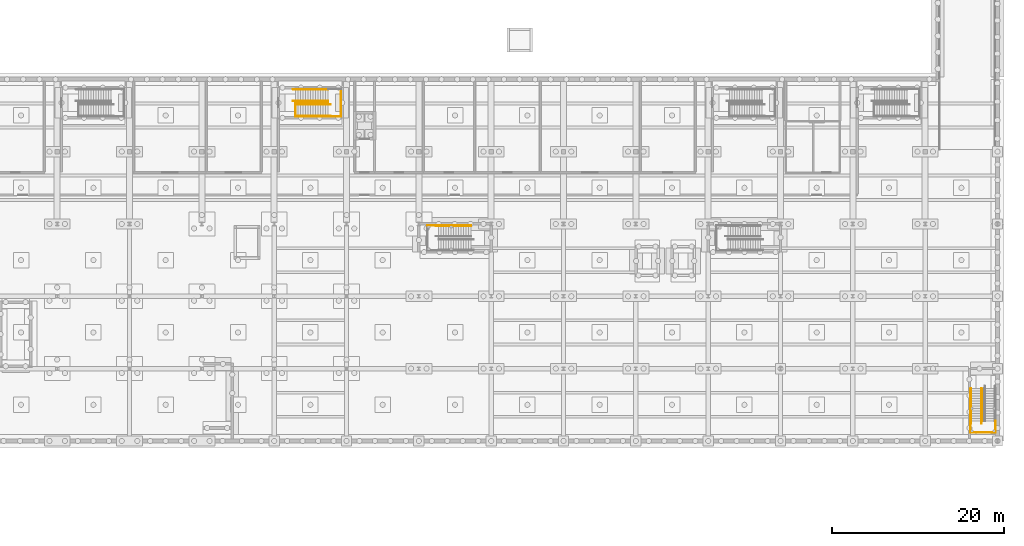
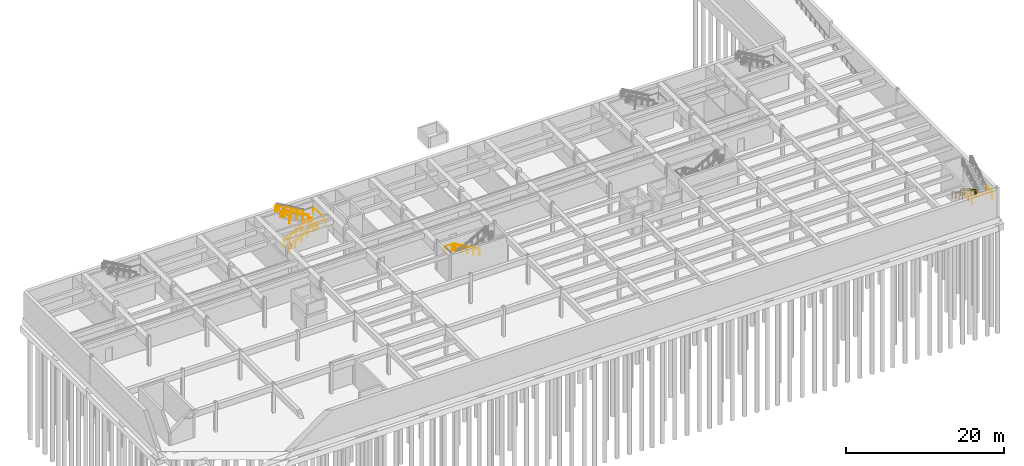
# One storey, part 29 of 33: 20 railings.
"""IFC4 building model written with IfcOpenShell, lengths in metres."""

from ifc_helpers import new_model, si_unit, direction, frame, origin, origin_2d, place, context, subcontext, project, spatial, circle, extrude, material, type_object, element, save


model = new_model("IFC4")

# Units and contexts
model_context = context("Model", 3, precision=1e-05, world=origin(), true_north=direction((0.0, 1.0)))
body_context = subcontext(model_context, "Body", "Model", "MODEL_VIEW")
ifc_project = project(units=[si_unit("LENGTHUNIT", "METRE"), si_unit("AREAUNIT", "SQUARE_METRE"), si_unit("VOLUMEUNIT", "CUBIC_METRE"), si_unit("PLANEANGLEUNIT", "RADIAN"), si_unit("MASSUNIT", "GRAM", prefix="KILO")], contexts=[model_context])

# Site, building, storey
site_placement = place(None, origin())
site = spatial("IfcSite", under=ifc_project, at=site_placement, CompositionType="ELEMENT")
building_placement = place(site_placement, origin())
building = spatial("IfcBuilding", under=site, at=building_placement, Name="Ljudholm Concert House", CompositionType="ELEMENT")
storey_placement = place(building_placement, frame((0.0, 0.0, -4.60009765625)))
storey = spatial("IfcBuildingStorey", under=building, at=storey_placement, Name="B1", CompositionType="ELEMENT", Elevation=-4.60009765625)

# Railings
ifc_material_1 = material(Name="Steel ASTM A36", Category="steel")
railing_type_1 = type_object("IfcRailingType", Name="GUARD 1100", PredefinedType="GUARDRAIL", material=ifc_material_1)
railing_1_placement = place(storey_placement, frame((40.10009765625, 143.925048828125, 0.164306640625)))
element("IfcRailing", 1, at=railing_1_placement, inside=storey, type_object=railing_type_1, Name="Guard", PredefinedType="GUARDRAIL", context=body_context, shape_type="SweptSolid", body=[
    extrude(circle(Radius=0.02490234375, at=origin_2d()), frame((0.0, 0.0, 1.0751953125), z_axis=(0.870025677096, 0.0, 0.493006410906), x_axis=(0.0, 1.0, 0.0)), (0.0, 0.0, 1.0), 0.999755859375),
    extrude(circle(Radius=0.02490234375, at=origin_2d()), frame((0.869873046875, 0.0, 1.56787109375), z_axis=(0.870085008278, 0.0, 0.4929016924), x_axis=(0.0, 1.0, 0.0)), (0.0, 0.0, 1.0), 1.0),
    extrude(circle(Radius=0.02490234375, at=origin_2d()), frame((1.739990234375, 0.0, 2.06103515625), z_axis=(0.870025677096, 0.0, 0.493006410906), x_axis=(0.0, 1.0, 0.0)), (0.0, 0.0, 1.0), 0.999755859375),
    extrude(circle(Radius=0.02490234375, at=origin_2d()), frame((2.60986328125, 0.0, 2.5537109375), z_axis=(0.870189701074, 0.0, 0.492716839721), x_axis=(0.0, 1.0, 0.0)), (0.0, 0.0, 1.0), 1.0),
    extrude(circle(Radius=0.02490234375, at=origin_2d()), frame((3.47998046875, 0.0, 3.04638671875), z_axis=(0.870085008278, 0.0, 0.4929016924), x_axis=(0.0, 1.0, 0.0)), (0.0, 0.0, 1.0), 0.333251953125),
    extrude(circle(Radius=0.02099609375, at=origin_2d()), origin(), (0.0, 0.0, 1.0), 1.050048828125),
    extrude(circle(Radius=0.02099609375, at=origin_2d()), frame((0.869873046875, 0.0, 0.492919921875)), (0.0, 0.0, 1.0), 1.050048828125),
    extrude(circle(Radius=0.02099609375, at=origin_2d()), frame((1.739990234375, 0.0, 0.98583984375)), (0.0, 0.0, 1.0), 1.050048828125),
    extrude(circle(Radius=0.02099609375, at=origin_2d()), frame((2.60986328125, 0.0, 1.478759765625)), (0.0, 0.0, 1.0), 1.050048828125),
    extrude(circle(Radius=0.02099609375, at=origin_2d()), frame((3.47998046875, 0.0, 1.971435546875)), (0.0, 0.0, 1.0), 1.050048828125),
    extrude(circle(Radius=0.02099609375, at=origin_2d()), frame((3.77001953125, 0.0, 2.1357421875)), (0.0, 0.0, 1.0), 1.050048828125),
])
railing_2_placement = place(storey_placement, frame((40.10009765625, 142.47509765625, 0.164306640625)))
element("IfcRailing", 2, at=railing_2_placement, inside=storey, type_object=railing_type_1, Name="Guard", PredefinedType="GUARDRAIL", context=body_context, shape_type="SweptSolid", body=[
    extrude(circle(Radius=0.02490234375, at=origin_2d()), frame((0.0, 0.0, 1.0751953125), z_axis=(0.870025677096, 0.0, 0.493006410906), x_axis=(0.0, 1.0, 0.0)), (0.0, 0.0, 1.0), 0.999755859375),
    extrude(circle(Radius=0.02490234375, at=origin_2d()), frame((0.869873046875, 0.0, 1.56787109375), z_axis=(0.870085008278, 0.0, 0.4929016924), x_axis=(0.0, 1.0, 0.0)), (0.0, 0.0, 1.0), 1.0),
    extrude(circle(Radius=0.02490234375, at=origin_2d()), frame((1.739990234375, 0.0, 2.06103515625), z_axis=(0.870025677096, 0.0, 0.493006410906), x_axis=(0.0, 1.0, 0.0)), (0.0, 0.0, 1.0), 0.999755859375),
    extrude(circle(Radius=0.02490234375, at=origin_2d()), frame((2.60986328125, 0.0, 2.5537109375), z_axis=(0.870189701074, 0.0, 0.492716839721), x_axis=(0.0, 1.0, 0.0)), (0.0, 0.0, 1.0), 1.0),
    extrude(circle(Radius=0.02490234375, at=origin_2d()), frame((3.47998046875, 0.0, 3.04638671875), z_axis=(0.870085008278, 0.0, 0.4929016924), x_axis=(0.0, 1.0, 0.0)), (0.0, 0.0, 1.0), 0.333251953125),
    extrude(circle(Radius=0.02099609375, at=origin_2d()), origin(), (0.0, 0.0, 1.0), 1.050048828125),
    extrude(circle(Radius=0.02099609375, at=origin_2d()), frame((0.869873046875, 0.0, 0.492919921875)), (0.0, 0.0, 1.0), 1.050048828125),
    extrude(circle(Radius=0.02099609375, at=origin_2d()), frame((1.739990234375, 0.0, 0.98583984375)), (0.0, 0.0, 1.0), 1.050048828125),
    extrude(circle(Radius=0.02099609375, at=origin_2d()), frame((2.60986328125, 0.0, 1.478759765625)), (0.0, 0.0, 1.0), 1.050048828125),
    extrude(circle(Radius=0.02099609375, at=origin_2d()), frame((3.47998046875, 0.0, 1.971435546875)), (0.0, 0.0, 1.0), 1.050048828125),
    extrude(circle(Radius=0.02099609375, at=origin_2d()), frame((3.77001953125, 0.0, 2.1357421875)), (0.0, 0.0, 1.0), 1.050048828125),
])
railing_3_placement = place(storey_placement, frame((43.8701171875, 144.22509765625, 2.46435546875)))
element("IfcRailing", 3, at=railing_3_placement, inside=storey, type_object=railing_type_1, Name="Guard", PredefinedType="GUARDRAIL", context=body_context, shape_type="SweptSolid", body=[
    extrude(circle(Radius=0.02490234375, at=origin_2d()), frame((0.0, 0.0, 1.0751953125), z_axis=(-0.870085008278, 0.0, 0.4929016924), x_axis=(0.0, -1.0, 0.0)), (0.0, 0.0, 1.0), 1.0),
    extrude(circle(Radius=0.02490234375, at=origin_2d()), frame((-0.8701171875, 0.0, 1.56787109375), z_axis=(-0.870085008278, 0.0, 0.4929016924), x_axis=(0.0, -1.0, 0.0)), (0.0, 0.0, 1.0), 1.0),
    extrude(circle(Radius=0.02490234375, at=origin_2d()), frame((-1.740234375, 0.0, 2.06103515625), z_axis=(-0.870130407247, 0.0, 0.492821544155), x_axis=(0.0, -1.0, 0.0)), (0.0, 0.0, 1.0), 0.999755859375),
    extrude(circle(Radius=0.02490234375, at=origin_2d()), frame((-2.610107421875, 0.0, 2.5537109375), z_axis=(-0.870085008278, 0.0, 0.4929016924), x_axis=(0.0, -1.0, 0.0)), (0.0, 0.0, 1.0), 1.0),
    extrude(circle(Radius=0.02490234375, at=origin_2d()), frame((-3.480224609375, 0.0, 3.04638671875), z_axis=(-0.869906901224, 0.0, 0.493215960003), x_axis=(0.0, -1.0, 0.0)), (0.0, 0.0, 1.0), 0.333251953125),
    extrude(circle(Radius=0.02099609375, at=origin_2d()), origin(), (0.0, 0.0, 1.0), 1.050048828125),
    extrude(circle(Radius=0.02099609375, at=origin_2d()), frame((-0.8701171875, 0.0, 0.492919921875)), (0.0, 0.0, 1.0), 1.050048828125),
    extrude(circle(Radius=0.02099609375, at=origin_2d()), frame((-1.740234375, 0.0, 0.98583984375)), (0.0, 0.0, 1.0), 1.050048828125),
    extrude(circle(Radius=0.02099609375, at=origin_2d()), frame((-2.610107421875, 0.0, 1.478515625)), (0.0, 0.0, 1.0), 1.050048828125),
    extrude(circle(Radius=0.02099609375, at=origin_2d()), frame((-3.480224609375, 0.0, 1.971435546875)), (0.0, 0.0, 1.0), 1.050048828125),
    extrude(circle(Radius=0.02099609375, at=origin_2d()), frame((-3.77001953125, 0.0, 2.1357421875)), (0.0, 0.0, 1.0), 1.050048828125),
])
railing_4_placement = place(storey_placement, frame((40.050048828125, 142.449951171875, 4.60009765625)))
element("IfcRailing", 4, at=railing_4_placement, inside=storey, type_object=railing_type_1, Name="Guard", PredefinedType="GUARDRAIL", context=body_context, shape_type="SweptSolid", body=[
    extrude(circle(Radius=0.02490234375, at=origin_2d()), frame((0.0, 0.0, 1.0751953125), z_axis=(0.0, 1.0, 0.0), x_axis=(-1.0, 0.0, 0.0)), (0.0, 0.0, 1.0), 1.75),
    extrude(circle(Radius=0.02099609375, at=origin_2d()), origin(), (0.0, 0.0, 1.0), 1.050048828125),
    extrude(circle(Radius=0.02099609375, at=origin_2d()), frame((0.0, 1.75, 0.0)), (0.0, 0.0, 1.0), 1.050048828125),
])
railing_5_placement = place(storey_placement, frame((43.8701171875, 142.47509765625, 2.300048828125)))
element("IfcRailing", 5, at=railing_5_placement, inside=storey, type_object=railing_type_1, Name="Guard", PredefinedType="GUARDRAIL", context=body_context, shape_type="SweptSolid", body=[
    extrude(circle(Radius=0.02490234375, at=origin_2d()), frame((0.0, 0.0, 1.0751953125), z_axis=(1.0, 0.0, 0.0), x_axis=(0.0, 1.0, 0.0)), (0.0, 0.0, 1.0), 1.474853515625),
    extrude(circle(Radius=0.02099609375, at=origin_2d()), origin(), (0.0, 0.0, 1.0), 1.050048828125),
    extrude(circle(Radius=0.02099609375, at=origin_2d()), frame((1.474853515625, 0.0, 0.0)), (0.0, 0.0, 1.0), 1.050048828125),
])
railing_6_placement = place(storey_placement, frame((45.344970703125, 142.47509765625, 2.300048828125)))
element("IfcRailing", 6, at=railing_6_placement, inside=storey, type_object=railing_type_1, Name="Guard", PredefinedType="GUARDRAIL", context=body_context, shape_type="SweptSolid", body=[
    extrude(circle(Radius=0.02490234375, at=origin_2d()), frame((0.0, 0.0, 1.0751953125), z_axis=(0.0, 1.0, 0.0), x_axis=(-1.0, 0.0, 0.0)), (0.0, 0.0, 1.0), 3.199951171875),
    extrude(circle(Radius=0.02099609375, at=origin_2d()), origin(), (0.0, 0.0, 1.0), 1.050048828125),
    extrude(circle(Radius=0.02099609375, at=origin_2d()), frame((0.0, 3.199951171875, 0.0)), (0.0, 0.0, 1.0), 1.050048828125),
])
railing_7_placement = place(storey_placement, frame((60.47509765625, 129.824951171875, 0.164306640625)))
element("IfcRailing", 7, at=railing_7_placement, inside=storey, type_object=railing_type_1, Name="Guard", PredefinedType="GUARDRAIL", context=body_context, shape_type="SweptSolid", body=[
    extrude(circle(Radius=0.02490234375, at=origin_2d()), frame((0.0, 0.0, 1.0751953125), z_axis=(-0.870085008278, 0.0, 0.4929016924), x_axis=(0.0, -1.0, 0.0)), (0.0, 0.0, 1.0), 1.0),
    extrude(circle(Radius=0.02490234375, at=origin_2d()), frame((-0.8701171875, 0.0, 1.56787109375), z_axis=(-0.870025677096, 0.0, 0.493006410906), x_axis=(0.0, -1.0, 0.0)), (0.0, 0.0, 1.0), 0.999755859375),
    extrude(circle(Radius=0.02490234375, at=origin_2d()), frame((-1.739990234375, 0.0, 2.06103515625), z_axis=(-0.870085008278, 0.0, 0.4929016924), x_axis=(0.0, -1.0, 0.0)), (0.0, 0.0, 1.0), 1.0),
    extrude(circle(Radius=0.02490234375, at=origin_2d()), frame((-2.610107421875, 0.0, 2.5537109375), z_axis=(-0.870130407247, 0.0, 0.492821544155), x_axis=(0.0, -1.0, 0.0)), (0.0, 0.0, 1.0), 0.999755859375),
    extrude(circle(Radius=0.02490234375, at=origin_2d()), frame((-3.47998046875, 0.0, 3.04638671875), z_axis=(-0.870085008278, 0.0, 0.4929016924), x_axis=(0.0, -1.0, 0.0)), (0.0, 0.0, 1.0), 0.333251953125),
    extrude(circle(Radius=0.02099609375, at=origin_2d()), origin(), (0.0, 0.0, 1.0), 1.050048828125),
    extrude(circle(Radius=0.02099609375, at=origin_2d()), frame((-0.8701171875, 0.0, 0.492919921875)), (0.0, 0.0, 1.0), 1.050048828125),
    extrude(circle(Radius=0.02099609375, at=origin_2d()), frame((-1.739990234375, 0.0, 0.98583984375)), (0.0, 0.0, 1.0), 1.050048828125),
    extrude(circle(Radius=0.02099609375, at=origin_2d()), frame((-2.610107421875, 0.0, 1.478759765625)), (0.0, 0.0, 1.0), 1.050048828125),
    extrude(circle(Radius=0.02099609375, at=origin_2d()), frame((-3.47998046875, 0.0, 1.971435546875)), (0.0, 0.0, 1.0), 1.050048828125),
    extrude(circle(Radius=0.02099609375, at=origin_2d()), frame((-3.77001953125, 0.0, 2.1357421875)), (0.0, 0.0, 1.0), 1.050048828125),
])
railing_8_placement = place(storey_placement, frame((56.705078125, 129.824951171875, 2.300048828125)))
element("IfcRailing", 8, at=railing_8_placement, inside=storey, type_object=railing_type_1, Name="Guard", PredefinedType="GUARDRAIL", context=body_context, shape_type="SweptSolid", body=[
    extrude(circle(Radius=0.02490234375, at=origin_2d()), frame((0.0, 0.0, 1.0751953125), z_axis=(-1.0, 0.0, 0.0), x_axis=(0.0, -1.0, 0.0)), (0.0, 0.0, 1.0), 1.3251953125),
    extrude(circle(Radius=0.02099609375, at=origin_2d()), origin(), (0.0, 0.0, 1.0), 1.050048828125),
    extrude(circle(Radius=0.02099609375, at=origin_2d()), frame((-1.3251953125, 0.0, 0.0)), (0.0, 0.0, 1.0), 1.050048828125),
])
railing_9_placement = place(storey_placement, frame((119.77490234375, 110.875, 0.164306640625)))
element("IfcRailing", 9, at=railing_9_placement, inside=storey, type_object=railing_type_1, Name="Guard", PredefinedType="GUARDRAIL", context=body_context, shape_type="SweptSolid", body=[
    extrude(circle(Radius=0.02490234375, at=origin_2d()), frame((0.0, 0.0, 1.0751953125), z_axis=(0.0, -0.870085008278, 0.4929016924), x_axis=(1.0, 0.0, 0.0)), (0.0, 0.0, 1.0), 1.0),
    extrude(circle(Radius=0.02490234375, at=origin_2d()), frame((0.0, -0.8701171875, 1.56787109375), z_axis=(0.0, -0.870025677096, 0.493006410906), x_axis=(1.0, 0.0, 0.0)), (0.0, 0.0, 1.0), 0.999755859375),
    extrude(circle(Radius=0.02490234375, at=origin_2d()), frame((0.0, -1.739990234375, 2.06103515625), z_axis=(0.0, -0.870085008278, 0.4929016924), x_axis=(1.0, 0.0, 0.0)), (0.0, 0.0, 1.0), 1.0),
    extrude(circle(Radius=0.02490234375, at=origin_2d()), frame((0.0, -2.610107421875, 2.5537109375), z_axis=(0.0, -0.870130407247, 0.492821544155), x_axis=(1.0, 0.0, 0.0)), (0.0, 0.0, 1.0), 0.999755859375),
    extrude(circle(Radius=0.02490234375, at=origin_2d()), frame((0.0, -3.47998046875, 3.04638671875), z_axis=(0.0, -0.870085008278, 0.4929016924), x_axis=(1.0, 0.0, 0.0)), (0.0, 0.0, 1.0), 0.333251953125),
    extrude(circle(Radius=0.02099609375, at=origin_2d()), origin(), (0.0, 0.0, 1.0), 1.050048828125),
    extrude(circle(Radius=0.02099609375, at=origin_2d()), frame((0.0, -0.8701171875, 0.492919921875)), (0.0, 0.0, 1.0), 1.050048828125),
    extrude(circle(Radius=0.02099609375, at=origin_2d()), frame((0.0, -1.739990234375, 0.98583984375)), (0.0, 0.0, 1.0), 1.050048828125),
    extrude(circle(Radius=0.02099609375, at=origin_2d()), frame((0.0, -2.610107421875, 1.478759765625)), (0.0, 0.0, 1.0), 1.050048828125),
    extrude(circle(Radius=0.02099609375, at=origin_2d()), frame((0.0, -3.47998046875, 1.971435546875)), (0.0, 0.0, 1.0), 1.050048828125),
    extrude(circle(Radius=0.02099609375, at=origin_2d()), frame((0.0, -3.77001953125, 2.1357421875)), (0.0, 0.0, 1.0), 1.050048828125),
])
railing_10_placement = place(storey_placement, frame((118.47509765625, 110.875, 0.164306640625)))
element("IfcRailing", 10, at=railing_10_placement, inside=storey, type_object=railing_type_1, Name="Guard", PredefinedType="GUARDRAIL", context=body_context, shape_type="SweptSolid", body=[
    extrude(circle(Radius=0.02490234375, at=origin_2d()), frame((0.0, 0.0, 1.0751953125), z_axis=(0.0, -0.870085008278, 0.4929016924), x_axis=(1.0, 0.0, 0.0)), (0.0, 0.0, 1.0), 1.0),
    extrude(circle(Radius=0.02490234375, at=origin_2d()), frame((0.0, -0.8701171875, 1.56787109375), z_axis=(0.0, -0.870025677096, 0.493006410906), x_axis=(1.0, 0.0, 0.0)), (0.0, 0.0, 1.0), 0.999755859375),
    extrude(circle(Radius=0.02490234375, at=origin_2d()), frame((0.0, -1.739990234375, 2.06103515625), z_axis=(0.0, -0.870085008278, 0.4929016924), x_axis=(1.0, 0.0, 0.0)), (0.0, 0.0, 1.0), 1.0),
    extrude(circle(Radius=0.02490234375, at=origin_2d()), frame((0.0, -2.610107421875, 2.5537109375), z_axis=(0.0, -0.870130407247, 0.492821544155), x_axis=(1.0, 0.0, 0.0)), (0.0, 0.0, 1.0), 0.999755859375),
    extrude(circle(Radius=0.02490234375, at=origin_2d()), frame((0.0, -3.47998046875, 3.04638671875), z_axis=(0.0, -0.870085008278, 0.4929016924), x_axis=(1.0, 0.0, 0.0)), (0.0, 0.0, 1.0), 0.333251953125),
    extrude(circle(Radius=0.02099609375, at=origin_2d()), origin(), (0.0, 0.0, 1.0), 1.050048828125),
    extrude(circle(Radius=0.02099609375, at=origin_2d()), frame((0.0, -0.8701171875, 0.492919921875)), (0.0, 0.0, 1.0), 1.050048828125),
    extrude(circle(Radius=0.02099609375, at=origin_2d()), frame((0.0, -1.739990234375, 0.98583984375)), (0.0, 0.0, 1.0), 1.050048828125),
    extrude(circle(Radius=0.02099609375, at=origin_2d()), frame((0.0, -2.610107421875, 1.478759765625)), (0.0, 0.0, 1.0), 1.050048828125),
    extrude(circle(Radius=0.02099609375, at=origin_2d()), frame((0.0, -3.47998046875, 1.971435546875)), (0.0, 0.0, 1.0), 1.050048828125),
    extrude(circle(Radius=0.02099609375, at=origin_2d()), frame((0.0, -3.77001953125, 2.1357421875)), (0.0, 0.0, 1.0), 1.050048828125),
])
for number, where, name in (
    (11, (118.47509765625, 107.10498046875, 2.300048828125), "Guard"),
    (12, (121.375, 107.10498046875, 2.300048828125), "Guard"),
):
    element("IfcRailing", number, at=place(storey_placement, frame(where)), inside=storey, type_object=railing_type_1, Name=name, PredefinedType="GUARDRAIL", context=body_context, shape_type="SweptSolid", body=[
        extrude(circle(Radius=0.02490234375, at=origin_2d()), frame((0.0, 0.0, 1.0751953125), z_axis=(0.0, -1.0, 0.0), x_axis=(1.0, 0.0, 0.0)), (0.0, 0.0, 1.0), 1.324951171875),
        extrude(circle(Radius=0.02099609375, at=origin_2d()), origin(), (0.0, 0.0, 1.0), 1.050048828125),
        extrude(circle(Radius=0.02099609375, at=origin_2d()), frame((0.0, -1.324951171875, 0.0)), (0.0, 0.0, 1.0), 1.050048828125),
    ])
railing_11_placement = place(storey_placement, frame((118.47509765625, 105.780029296875, 2.300048828125)))
element("IfcRailing", 13, at=railing_11_placement, inside=storey, type_object=railing_type_1, Name="Guard", PredefinedType="GUARDRAIL", context=body_context, shape_type="SweptSolid", body=[
    extrude(circle(Radius=0.02490234375, at=origin_2d()), frame((0.0, 0.0, 1.0751953125), z_axis=(1.0, 0.0, 0.0), x_axis=(0.0, 1.0, 0.0)), (0.0, 0.0, 1.0), 2.89990234375),
    extrude(circle(Radius=0.02099609375, at=origin_2d()), origin(), (0.0, 0.0, 1.0), 1.050048828125),
    extrude(circle(Radius=0.02099609375, at=origin_2d()), frame((2.89990234375, 0.0, 0.0)), (0.0, 0.0, 1.0), 1.050048828125),
])
ifc_material_2 = material(Name="Steel ASTM A36", Category="steel")
railing_type_2 = type_object("IfcRailingType", Name="HANDRAIL 900", PredefinedType="HANDRAIL", material=ifc_material_2)
railing_12_placement = place(storey_placement, frame((40.10009765625, 143.875, 0.164306640625)))
element("IfcRailing", 14, at=railing_12_placement, inside=storey, type_object=railing_type_2, Name="Handrail", PredefinedType="HANDRAIL", context=body_context, shape_type="SweptSolid", body=[
    extrude(circle(Radius=0.0224609375, at=origin_2d()), frame((0.0, 0.0, 0.87744140625), z_axis=(0.870025677096, 0.0, 0.493006410906), x_axis=(0.0, 1.0, 0.0)), (0.0, 0.0, 1.0), 0.999755859375),
    extrude(circle(Radius=0.0224609375, at=origin_2d()), frame((0.869873046875, 0.0, 1.370361328125), z_axis=(0.870085008278, 0.0, 0.4929016924), x_axis=(0.0, 1.0, 0.0)), (0.0, 0.0, 1.0), 1.0),
    extrude(circle(Radius=0.0224609375, at=origin_2d()), frame((1.739990234375, 0.0, 1.86328125), z_axis=(0.870025677096, 0.0, 0.493006410906), x_axis=(0.0, 1.0, 0.0)), (0.0, 0.0, 1.0), 0.999755859375),
    extrude(circle(Radius=0.0224609375, at=origin_2d()), frame((2.60986328125, 0.0, 2.356201171875), z_axis=(0.870189701074, 0.0, 0.492716839721), x_axis=(0.0, 1.0, 0.0)), (0.0, 0.0, 1.0), 1.0),
    extrude(circle(Radius=0.0224609375, at=origin_2d()), frame((3.47998046875, 0.0, 2.848876953125), z_axis=(0.870085008278, 0.0, 0.4929016924), x_axis=(0.0, 1.0, 0.0)), (0.0, 0.0, 1.0), 0.333251953125),
    extrude(circle(Radius=0.0224609375, at=origin_2d()), frame((3.77001953125, 0.0, 3.01318359375), z_axis=(1.0, 0.0, 0.0), x_axis=(0.0, 1.0, 0.0)), (0.0, 0.0, 1.0), 0.2998046875),
    extrude(circle(Radius=0.02099609375, at=origin_2d()), origin(), (0.0, 0.0, 1.0), 0.85498046875),
    extrude(circle(Radius=0.02099609375, at=origin_2d()), frame((0.869873046875, 0.0, 0.492919921875)), (0.0, 0.0, 1.0), 0.85498046875),
    extrude(circle(Radius=0.02099609375, at=origin_2d()), frame((1.739990234375, 0.0, 0.98583984375)), (0.0, 0.0, 1.0), 0.85498046875),
    extrude(circle(Radius=0.02099609375, at=origin_2d()), frame((2.60986328125, 0.0, 1.478759765625)), (0.0, 0.0, 1.0), 0.85498046875),
    extrude(circle(Radius=0.02099609375, at=origin_2d()), frame((3.47998046875, 0.0, 1.971435546875)), (0.0, 0.0, 1.0), 0.85498046875),
    extrude(circle(Radius=0.02099609375, at=origin_2d()), frame((3.77001953125, 0.0, 2.1357421875)), (0.0, 0.0, 1.0), 0.85498046875),
    extrude(circle(Radius=0.02099609375, at=origin_2d()), frame((4.06982421875, 0.0, 2.1357421875)), (0.0, 0.0, 1.0), 0.85498046875),
])
railing_13_placement = place(storey_placement, frame((40.10009765625, 142.52490234375, 0.164306640625)))
element("IfcRailing", 15, at=railing_13_placement, inside=storey, type_object=railing_type_2, Name="Handrail", PredefinedType="HANDRAIL", context=body_context, shape_type="SweptSolid", body=[
    extrude(circle(Radius=0.0224609375, at=origin_2d()), frame((0.0, 0.0, 0.87744140625), z_axis=(0.870025677096, 0.0, 0.493006410906), x_axis=(0.0, 1.0, 0.0)), (0.0, 0.0, 1.0), 0.999755859375),
    extrude(circle(Radius=0.0224609375, at=origin_2d()), frame((0.869873046875, 0.0, 1.370361328125), z_axis=(0.870085008278, 0.0, 0.4929016924), x_axis=(0.0, 1.0, 0.0)), (0.0, 0.0, 1.0), 1.0),
    extrude(circle(Radius=0.0224609375, at=origin_2d()), frame((1.739990234375, 0.0, 1.86328125), z_axis=(0.870025677096, 0.0, 0.493006410906), x_axis=(0.0, 1.0, 0.0)), (0.0, 0.0, 1.0), 0.999755859375),
    extrude(circle(Radius=0.0224609375, at=origin_2d()), frame((2.60986328125, 0.0, 2.356201171875), z_axis=(0.870189701074, 0.0, 0.492716839721), x_axis=(0.0, 1.0, 0.0)), (0.0, 0.0, 1.0), 1.0),
    extrude(circle(Radius=0.0224609375, at=origin_2d()), frame((3.47998046875, 0.0, 2.848876953125), z_axis=(0.870085008278, 0.0, 0.4929016924), x_axis=(0.0, 1.0, 0.0)), (0.0, 0.0, 1.0), 0.333251953125),
    extrude(circle(Radius=0.0224609375, at=origin_2d()), frame((3.77001953125, 0.0, 3.01318359375), z_axis=(1.0, 0.0, 0.0), x_axis=(0.0, 1.0, 0.0)), (0.0, 0.0, 1.0), 0.2998046875),
    extrude(circle(Radius=0.02099609375, at=origin_2d()), origin(), (0.0, 0.0, 1.0), 0.85498046875),
    extrude(circle(Radius=0.02099609375, at=origin_2d()), frame((0.869873046875, 0.0, 0.492919921875)), (0.0, 0.0, 1.0), 0.85498046875),
    extrude(circle(Radius=0.02099609375, at=origin_2d()), frame((1.739990234375, 0.0, 0.98583984375)), (0.0, 0.0, 1.0), 0.85498046875),
    extrude(circle(Radius=0.02099609375, at=origin_2d()), frame((2.60986328125, 0.0, 1.478759765625)), (0.0, 0.0, 1.0), 0.85498046875),
    extrude(circle(Radius=0.02099609375, at=origin_2d()), frame((3.47998046875, 0.0, 1.971435546875)), (0.0, 0.0, 1.0), 0.85498046875),
    extrude(circle(Radius=0.02099609375, at=origin_2d()), frame((3.77001953125, 0.0, 2.1357421875)), (0.0, 0.0, 1.0), 0.85498046875),
    extrude(circle(Radius=0.02099609375, at=origin_2d()), frame((4.06982421875, 0.0, 2.1357421875)), (0.0, 0.0, 1.0), 0.85498046875),
])
railing_14_placement = place(storey_placement, frame((43.8701171875, 144.27490234375, 2.46435546875)))
element("IfcRailing", 16, at=railing_14_placement, inside=storey, type_object=railing_type_2, Name="Handrail", PredefinedType="HANDRAIL", context=body_context, shape_type="SweptSolid", body=[
    extrude(circle(Radius=0.0224609375, at=origin_2d()), frame((0.0, 0.0, 0.87744140625), z_axis=(-0.870085008278, 0.0, 0.4929016924), x_axis=(0.0, -1.0, 0.0)), (0.0, 0.0, 1.0), 1.0),
    extrude(circle(Radius=0.0224609375, at=origin_2d()), frame((-0.8701171875, 0.0, 1.370361328125), z_axis=(-0.870085008278, 0.0, 0.4929016924), x_axis=(0.0, -1.0, 0.0)), (0.0, 0.0, 1.0), 1.0),
    extrude(circle(Radius=0.0224609375, at=origin_2d()), frame((-1.740234375, 0.0, 1.86328125), z_axis=(-0.870130407247, 0.0, 0.492821544155), x_axis=(0.0, -1.0, 0.0)), (0.0, 0.0, 1.0), 0.999755859375),
    extrude(circle(Radius=0.0224609375, at=origin_2d()), frame((-2.610107421875, 0.0, 2.35595703125), z_axis=(-0.870085008278, 0.0, 0.4929016924), x_axis=(0.0, -1.0, 0.0)), (0.0, 0.0, 1.0), 1.0),
    extrude(circle(Radius=0.0224609375, at=origin_2d()), frame((-3.480224609375, 0.0, 2.848876953125), z_axis=(-0.869906901224, 0.0, 0.493215960003), x_axis=(0.0, -1.0, 0.0)), (0.0, 0.0, 1.0), 0.333251953125),
    extrude(circle(Radius=0.0224609375, at=origin_2d()), frame((-3.77001953125, 0.0, 3.01318359375), z_axis=(-1.0, 0.0, 0.0), x_axis=(0.0, -1.0, 0.0)), (0.0, 0.0, 1.0), 0.300048828125),
    extrude(circle(Radius=0.02099609375, at=origin_2d()), origin(), (0.0, 0.0, 1.0), 0.85498046875),
    extrude(circle(Radius=0.02099609375, at=origin_2d()), frame((-0.8701171875, 0.0, 0.492919921875)), (0.0, 0.0, 1.0), 0.85498046875),
    extrude(circle(Radius=0.02099609375, at=origin_2d()), frame((-1.740234375, 0.0, 0.98583984375)), (0.0, 0.0, 1.0), 0.85498046875),
    extrude(circle(Radius=0.02099609375, at=origin_2d()), frame((-2.610107421875, 0.0, 1.478515625)), (0.0, 0.0, 1.0), 0.85498046875),
    extrude(circle(Radius=0.02099609375, at=origin_2d()), frame((-3.480224609375, 0.0, 1.971435546875)), (0.0, 0.0, 1.0), 0.85498046875),
    extrude(circle(Radius=0.02099609375, at=origin_2d()), frame((-3.77001953125, 0.0, 2.1357421875)), (0.0, 0.0, 1.0), 0.85498046875),
    extrude(circle(Radius=0.02099609375, at=origin_2d()), frame((-4.070068359375, 0.0, 2.1357421875)), (0.0, 0.0, 1.0), 0.85498046875),
])
railing_15_placement = place(storey_placement, frame((43.8701171875, 145.625, 2.46435546875)))
element("IfcRailing", 17, at=railing_15_placement, inside=storey, type_object=railing_type_2, Name="Handrail", PredefinedType="HANDRAIL", context=body_context, shape_type="SweptSolid", body=[
    extrude(circle(Radius=0.0224609375, at=origin_2d()), frame((0.0, 0.0, 0.87744140625), z_axis=(-0.870085008278, 0.0, 0.4929016924), x_axis=(0.0, -1.0, 0.0)), (0.0, 0.0, 1.0), 1.0),
    extrude(circle(Radius=0.0224609375, at=origin_2d()), frame((-0.8701171875, 0.0, 1.370361328125), z_axis=(-0.870085008278, 0.0, 0.4929016924), x_axis=(0.0, -1.0, 0.0)), (0.0, 0.0, 1.0), 1.0),
    extrude(circle(Radius=0.0224609375, at=origin_2d()), frame((-1.740234375, 0.0, 1.86328125), z_axis=(-0.870130407247, 0.0, 0.492821544155), x_axis=(0.0, -1.0, 0.0)), (0.0, 0.0, 1.0), 0.999755859375),
    extrude(circle(Radius=0.0224609375, at=origin_2d()), frame((-2.610107421875, 0.0, 2.35595703125), z_axis=(-0.870085008278, 0.0, 0.4929016924), x_axis=(0.0, -1.0, 0.0)), (0.0, 0.0, 1.0), 1.0),
    extrude(circle(Radius=0.0224609375, at=origin_2d()), frame((-3.480224609375, 0.0, 2.848876953125), z_axis=(-0.869906901224, 0.0, 0.493215960003), x_axis=(0.0, -1.0, 0.0)), (0.0, 0.0, 1.0), 0.333251953125),
    extrude(circle(Radius=0.0224609375, at=origin_2d()), frame((-3.77001953125, 0.0, 3.01318359375), z_axis=(-1.0, 0.0, 0.0), x_axis=(0.0, -1.0, 0.0)), (0.0, 0.0, 1.0), 0.300048828125),
    extrude(circle(Radius=0.02099609375, at=origin_2d()), origin(), (0.0, 0.0, 1.0), 0.85498046875),
    extrude(circle(Radius=0.02099609375, at=origin_2d()), frame((-0.8701171875, 0.0, 0.492919921875)), (0.0, 0.0, 1.0), 0.85498046875),
    extrude(circle(Radius=0.02099609375, at=origin_2d()), frame((-1.740234375, 0.0, 0.98583984375)), (0.0, 0.0, 1.0), 0.85498046875),
    extrude(circle(Radius=0.02099609375, at=origin_2d()), frame((-2.610107421875, 0.0, 1.478515625)), (0.0, 0.0, 1.0), 0.85498046875),
    extrude(circle(Radius=0.02099609375, at=origin_2d()), frame((-3.480224609375, 0.0, 1.971435546875)), (0.0, 0.0, 1.0), 0.85498046875),
    extrude(circle(Radius=0.02099609375, at=origin_2d()), frame((-3.77001953125, 0.0, 2.1357421875)), (0.0, 0.0, 1.0), 0.85498046875),
    extrude(circle(Radius=0.02099609375, at=origin_2d()), frame((-4.070068359375, 0.0, 2.1357421875)), (0.0, 0.0, 1.0), 0.85498046875),
])
railing_16_placement = place(storey_placement, frame((60.47509765625, 129.77490234375, 0.164306640625)))
element("IfcRailing", 18, at=railing_16_placement, inside=storey, type_object=railing_type_2, Name="Handrail", PredefinedType="HANDRAIL", context=body_context, shape_type="SweptSolid", body=[
    extrude(circle(Radius=0.0224609375, at=origin_2d()), frame((0.0, 0.0, 0.87744140625), z_axis=(-0.870085008278, 0.0, 0.4929016924), x_axis=(0.0, -1.0, 0.0)), (0.0, 0.0, 1.0), 1.0),
    extrude(circle(Radius=0.0224609375, at=origin_2d()), frame((-0.8701171875, 0.0, 1.370361328125), z_axis=(-0.870025677096, 0.0, 0.493006410906), x_axis=(0.0, -1.0, 0.0)), (0.0, 0.0, 1.0), 0.999755859375),
    extrude(circle(Radius=0.0224609375, at=origin_2d()), frame((-1.739990234375, 0.0, 1.86328125), z_axis=(-0.870085008278, 0.0, 0.4929016924), x_axis=(0.0, -1.0, 0.0)), (0.0, 0.0, 1.0), 1.0),
    extrude(circle(Radius=0.0224609375, at=origin_2d()), frame((-2.610107421875, 0.0, 2.356201171875), z_axis=(-0.870130407247, 0.0, 0.492821544155), x_axis=(0.0, -1.0, 0.0)), (0.0, 0.0, 1.0), 0.999755859375),
    extrude(circle(Radius=0.0224609375, at=origin_2d()), frame((-3.47998046875, 0.0, 2.848876953125), z_axis=(-0.870085008278, 0.0, 0.4929016924), x_axis=(0.0, -1.0, 0.0)), (0.0, 0.0, 1.0), 0.333251953125),
    extrude(circle(Radius=0.0224609375, at=origin_2d()), frame((-3.77001953125, 0.0, 3.01318359375), z_axis=(-1.0, 0.0, 0.0), x_axis=(0.0, -1.0, 0.0)), (0.0, 0.0, 1.0), 0.300048828125),
    extrude(circle(Radius=0.02099609375, at=origin_2d()), origin(), (0.0, 0.0, 1.0), 0.85498046875),
    extrude(circle(Radius=0.02099609375, at=origin_2d()), frame((-0.8701171875, 0.0, 0.492919921875)), (0.0, 0.0, 1.0), 0.85498046875),
    extrude(circle(Radius=0.02099609375, at=origin_2d()), frame((-1.739990234375, 0.0, 0.98583984375)), (0.0, 0.0, 1.0), 0.85498046875),
    extrude(circle(Radius=0.02099609375, at=origin_2d()), frame((-2.610107421875, 0.0, 1.478759765625)), (0.0, 0.0, 1.0), 0.85498046875),
    extrude(circle(Radius=0.02099609375, at=origin_2d()), frame((-3.47998046875, 0.0, 1.971435546875)), (0.0, 0.0, 1.0), 0.85498046875),
    extrude(circle(Radius=0.02099609375, at=origin_2d()), frame((-3.77001953125, 0.0, 2.1357421875)), (0.0, 0.0, 1.0), 0.85498046875),
    extrude(circle(Radius=0.02099609375, at=origin_2d()), frame((-4.070068359375, 0.0, 2.1357421875)), (0.0, 0.0, 1.0), 0.85498046875),
])
railing_17_placement = place(storey_placement, frame((119.72509765625, 110.875, 0.164306640625)))
element("IfcRailing", 19, at=railing_17_placement, inside=storey, type_object=railing_type_2, Name="Handrail", PredefinedType="HANDRAIL", context=body_context, shape_type="SweptSolid", body=[
    extrude(circle(Radius=0.0224609375, at=origin_2d()), frame((0.0, 0.0, 0.87744140625), z_axis=(0.0, -0.870085008278, 0.4929016924), x_axis=(1.0, 0.0, 0.0)), (0.0, 0.0, 1.0), 1.0),
    extrude(circle(Radius=0.0224609375, at=origin_2d()), frame((0.0, -0.8701171875, 1.370361328125), z_axis=(0.0, -0.870025677096, 0.493006410906), x_axis=(1.0, 0.0, 0.0)), (0.0, 0.0, 1.0), 0.999755859375),
    extrude(circle(Radius=0.0224609375, at=origin_2d()), frame((0.0, -1.739990234375, 1.86328125), z_axis=(0.0, -0.870085008278, 0.4929016924), x_axis=(1.0, 0.0, 0.0)), (0.0, 0.0, 1.0), 1.0),
    extrude(circle(Radius=0.0224609375, at=origin_2d()), frame((0.0, -2.610107421875, 2.356201171875), z_axis=(0.0, -0.870130407247, 0.492821544155), x_axis=(1.0, 0.0, 0.0)), (0.0, 0.0, 1.0), 0.999755859375),
    extrude(circle(Radius=0.0224609375, at=origin_2d()), frame((0.0, -3.47998046875, 2.848876953125), z_axis=(0.0, -0.870085008278, 0.4929016924), x_axis=(1.0, 0.0, 0.0)), (0.0, 0.0, 1.0), 0.333251953125),
    extrude(circle(Radius=0.0224609375, at=origin_2d()), frame((0.0, -3.77001953125, 3.01318359375), z_axis=(0.0, -1.0, 0.0), x_axis=(1.0, 0.0, 0.0)), (0.0, 0.0, 1.0), 0.300048828125),
    extrude(circle(Radius=0.02099609375, at=origin_2d()), origin(), (0.0, 0.0, 1.0), 0.85498046875),
    extrude(circle(Radius=0.02099609375, at=origin_2d()), frame((0.0, -0.8701171875, 0.492919921875)), (0.0, 0.0, 1.0), 0.85498046875),
    extrude(circle(Radius=0.02099609375, at=origin_2d()), frame((0.0, -1.739990234375, 0.98583984375)), (0.0, 0.0, 1.0), 0.85498046875),
    extrude(circle(Radius=0.02099609375, at=origin_2d()), frame((0.0, -2.610107421875, 1.478759765625)), (0.0, 0.0, 1.0), 0.85498046875),
    extrude(circle(Radius=0.02099609375, at=origin_2d()), frame((0.0, -3.47998046875, 1.971435546875)), (0.0, 0.0, 1.0), 0.85498046875),
    extrude(circle(Radius=0.02099609375, at=origin_2d()), frame((0.0, -3.77001953125, 2.1357421875)), (0.0, 0.0, 1.0), 0.85498046875),
    extrude(circle(Radius=0.02099609375, at=origin_2d()), frame((0.0, -4.070068359375, 2.1357421875)), (0.0, 0.0, 1.0), 0.85498046875),
])
railing_18_placement = place(storey_placement, frame((118.52490234375, 110.875, 0.164306640625)))
element("IfcRailing", 20, at=railing_18_placement, inside=storey, type_object=railing_type_2, Name="Handrail", PredefinedType="HANDRAIL", context=body_context, shape_type="SweptSolid", body=[
    extrude(circle(Radius=0.0224609375, at=origin_2d()), frame((0.0, 0.0, 0.87744140625), z_axis=(0.0, -0.870085008278, 0.4929016924), x_axis=(1.0, 0.0, 0.0)), (0.0, 0.0, 1.0), 1.0),
    extrude(circle(Radius=0.0224609375, at=origin_2d()), frame((0.0, -0.8701171875, 1.370361328125), z_axis=(0.0, -0.870025677096, 0.493006410906), x_axis=(1.0, 0.0, 0.0)), (0.0, 0.0, 1.0), 0.999755859375),
    extrude(circle(Radius=0.0224609375, at=origin_2d()), frame((0.0, -1.739990234375, 1.86328125), z_axis=(0.0, -0.870085008278, 0.4929016924), x_axis=(1.0, 0.0, 0.0)), (0.0, 0.0, 1.0), 1.0),
    extrude(circle(Radius=0.0224609375, at=origin_2d()), frame((0.0, -2.610107421875, 2.356201171875), z_axis=(0.0, -0.870130407247, 0.492821544155), x_axis=(1.0, 0.0, 0.0)), (0.0, 0.0, 1.0), 0.999755859375),
    extrude(circle(Radius=0.0224609375, at=origin_2d()), frame((0.0, -3.47998046875, 2.848876953125), z_axis=(0.0, -0.870085008278, 0.4929016924), x_axis=(1.0, 0.0, 0.0)), (0.0, 0.0, 1.0), 0.333251953125),
    extrude(circle(Radius=0.0224609375, at=origin_2d()), frame((0.0, -3.77001953125, 3.01318359375), z_axis=(0.0, -1.0, 0.0), x_axis=(1.0, 0.0, 0.0)), (0.0, 0.0, 1.0), 0.300048828125),
    extrude(circle(Radius=0.02099609375, at=origin_2d()), origin(), (0.0, 0.0, 1.0), 0.85498046875),
    extrude(circle(Radius=0.02099609375, at=origin_2d()), frame((0.0, -0.8701171875, 0.492919921875)), (0.0, 0.0, 1.0), 0.85498046875),
    extrude(circle(Radius=0.02099609375, at=origin_2d()), frame((0.0, -1.739990234375, 0.98583984375)), (0.0, 0.0, 1.0), 0.85498046875),
    extrude(circle(Radius=0.02099609375, at=origin_2d()), frame((0.0, -2.610107421875, 1.478759765625)), (0.0, 0.0, 1.0), 0.85498046875),
    extrude(circle(Radius=0.02099609375, at=origin_2d()), frame((0.0, -3.47998046875, 1.971435546875)), (0.0, 0.0, 1.0), 0.85498046875),
    extrude(circle(Radius=0.02099609375, at=origin_2d()), frame((0.0, -3.77001953125, 2.1357421875)), (0.0, 0.0, 1.0), 0.85498046875),
    extrude(circle(Radius=0.02099609375, at=origin_2d()), frame((0.0, -4.070068359375, 2.1357421875)), (0.0, 0.0, 1.0), 0.85498046875),
])

save(model, "model.ifc")
